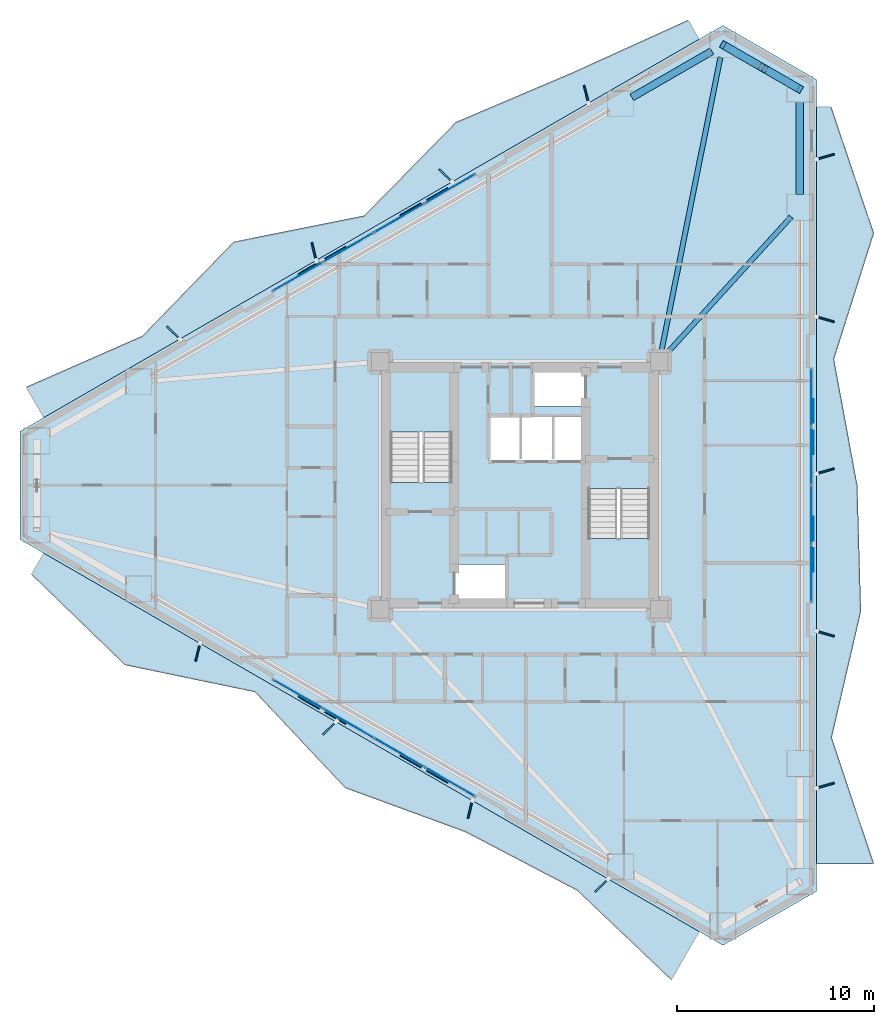
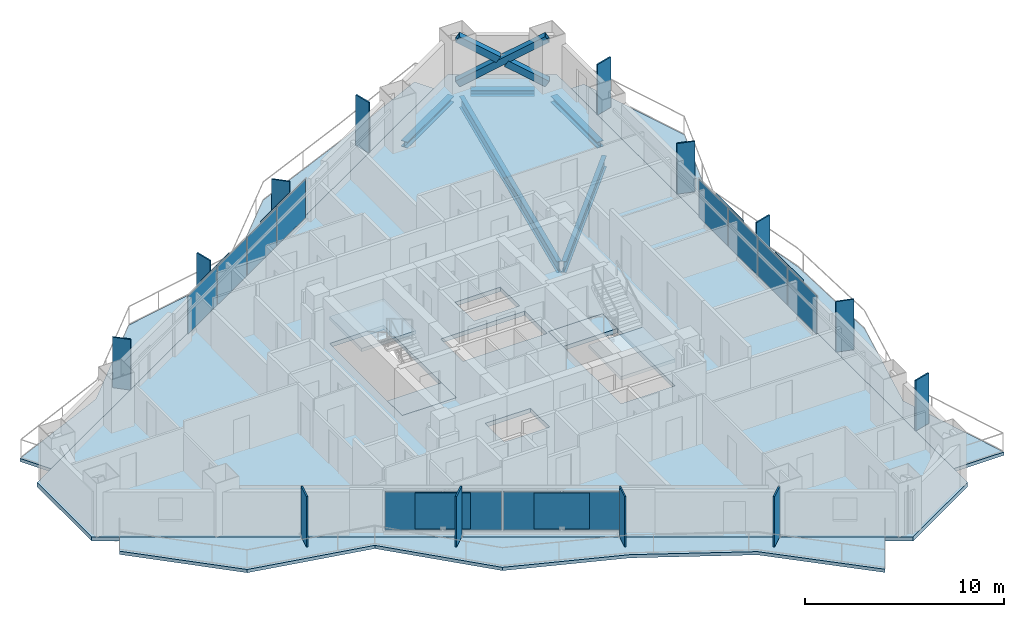
# One storey, part 10 of 19: 31 plates, 8 slabs, 5 beams, 3 members, 5 elements without a shape of their own.
"""IFC4 building model written with IfcOpenShell, lengths in metres."""

from ifc_helpers import new_model, si_unit, direction, frame, origin, origin_2d, place, context, subcontext, project, spatial, polyline, rectangle, hollow_rectangle, i_section, outline, extrude, material, layer, layer_set, material_profile, profile_set, type_object, element, aggregate, save


model = new_model("IFC4")

# Units and contexts
model_context = context("Model", 3, precision=1e-05, world=origin(), true_north=direction((0.0, 1.0)))
body_context = subcontext(model_context, "Body", "Model", "MODEL_VIEW")
ifc_project = project(units=[si_unit("LENGTHUNIT", "METRE"), si_unit("AREAUNIT", "SQUARE_METRE"), si_unit("VOLUMEUNIT", "CUBIC_METRE"), si_unit("PLANEANGLEUNIT", "RADIAN"), si_unit("MASSUNIT", "GRAM", prefix="KILO")], contexts=[model_context])

# Site, building, storey
site_placement = place(None, origin())
site = spatial("IfcSite", under=ifc_project, at=site_placement, CompositionType="ELEMENT")
building_placement = place(site_placement, origin())
building = spatial("IfcBuilding", under=site, at=building_placement, Name="Mersakhor Tower and Convention Hall", CompositionType="ELEMENT")
storey_placement = place(building_placement, frame((0.0, 0.0, 45.60009765625)))
storey = spatial("IfcBuildingStorey", under=building, at=storey_placement, Name="L12", CompositionType="ELEMENT", Elevation=45.60009765625)

# Beams
ifc_material_1 = material(Name="Steel S355", Category="steel")
ifc_material_profile_1 = material_profile(ifc_material_1, i_section(OverallWidth=0.25439453125, OverallDepth=0.6875, WebThickness=0.01318359375, FlangeThickness=0.02099609375, at=origin_2d()), Name="UB 686x254x152")
ifc_profile_set_1 = profile_set([ifc_material_profile_1], Name="Steel S355")
beam_type_1 = type_object("IfcBeamType", Name="BM-PR-686", PredefinedType="BEAM", material=ifc_profile_set_1)
beam_1_placement = place(storey_placement, frame((36.1845703125, 33.4716796875, -0.603759765625), z_axis=(0.196849718138, 0.980433673672, 0.0), x_axis=(-0.980433673672, 0.196849718138, 0.0)))
element("IfcBeam", 1, at=beam_1_placement, inside=storey, type_object=beam_type_1, Name="L12 Primary Floor Girder FG-2", PredefinedType="BEAM", context=body_context, shape_type="SweptSolid", body=[
    extrude(i_section(OverallWidth=0.25439453125, OverallDepth=0.6875, WebThickness=0.01318359375, FlangeThickness=0.02099609375, at=origin_2d()), origin(), (0.0, 0.0, 1.0), 15.359130859375),
])
beam_2_placement = place(storey_placement, frame((36.389404296875, 33.367919921875, -0.603759765625), z_axis=(0.67316322447, 0.739493930483, 0.0), x_axis=(-0.739493930483, 0.67316322447, 0.0)))
element("IfcBeam", 2, at=beam_2_placement, inside=storey, type_object=beam_type_1, Name="L12 Primary Floor Girder FG-3", PredefinedType="BEAM", context=body_context, shape_type="SweptSolid", body=[
    extrude(i_section(OverallWidth=0.25439453125, OverallDepth=0.6875, WebThickness=0.01318359375, FlangeThickness=0.02099609375, at=origin_2d()), origin(), (0.0, 0.0, 1.0), 9.53662109375),
])
ifc_material_2 = material(Name="Steel S355", Category="steel")
ifc_material_profile_2 = material_profile(ifc_material_2, i_section(OverallWidth=0.374755859375, OverallDepth=0.37451171875, WebThickness=0.0166015625, FlangeThickness=0.027099609375, at=origin_2d()), Name="UC 356x368x202")
ifc_profile_set_2 = profile_set([ifc_material_profile_2], Name="Steel S355")
beam_type_2 = type_object("IfcBeamType", Name="BM-SPD-UC356", PredefinedType="SPANDREL", material=ifc_profile_set_2)
beam_3_placement = place(storey_placement, frame((34.700439453125, 46.49560546875, -0.447509765625), z_axis=(0.866031574723, 0.499989311469, 0.0), x_axis=(-0.499989311469, 0.866031574723, 0.0)))
element("IfcBeam", 3, at=beam_3_placement, inside=storey, type_object=beam_type_2, Name="L12 Perimeter Spandrel Beam SPB-03", PredefinedType="SPANDREL", context=body_context, shape_type="SweptSolid", body=[
    extrude(i_section(OverallWidth=0.374755859375, OverallDepth=0.37451171875, WebThickness=0.0166015625, FlangeThickness=0.027099609375, at=origin_2d()), origin(), (0.0, 0.0, 1.0), 4.69873046875),
])
beam_4_placement = place(storey_placement, frame((39.904052734375, 48.844970703125, -0.447509765625), z_axis=(0.866038607556, -0.4999771297, 0.0), x_axis=(0.4999771297, 0.866038607556, 0.0)))
element("IfcBeam", 4, at=beam_4_placement, inside=storey, type_object=beam_type_2, Name="L12 Perimeter Spandrel Beam SPB-04", PredefinedType="SPANDREL", context=body_context, shape_type="SweptSolid", body=[
    extrude(i_section(OverallWidth=0.374755859375, OverallDepth=0.37451171875, WebThickness=0.0166015625, FlangeThickness=0.027099609375, at=origin_2d()), origin(), (0.0, 0.0, 1.0), 3.208740234375),
])
beam_5_placement = place(storey_placement, frame((43.25, 46.25830078125, -0.447509765625), z_axis=(0.0, -1.0, 0.0), x_axis=(1.0, 0.0, 0.0)))
element("IfcBeam", 5, at=beam_5_placement, inside=storey, type_object=beam_type_2, Name="L12 Perimeter Spandrel Beam SPB-05", PredefinedType="SPANDREL", context=body_context, shape_type="SweptSolid", body=[
    extrude(i_section(OverallWidth=0.374755859375, OverallDepth=0.37451171875, WebThickness=0.0166015625, FlangeThickness=0.027099609375, at=origin_2d()), origin(), (0.0, 0.0, 1.0), 4.69873046875),
])

# Members
ifc_material_3 = material(Name="Steel S460", Category="steel")
ifc_material_profile_3 = material_profile(ifc_material_3, hollow_rectangle(XDim=0.39990234375, YDim=0.39990234375, WallThickness=0.02490234375, at=origin_2d()), Name="SHS 400x400x25")
ifc_profile_set_3 = profile_set([ifc_material_profile_3], Name="Steel S460")
member_type = type_object("IfcMemberType", Name="MB-BRC-SHS400", PredefinedType="BRACE", material=ifc_profile_set_3)
member_placement = place(storey_placement, frame((39.3369140625, 49.172607421875, 0.14990234375), z_axis=(0.740507772322, -0.427542982597, 0.518512523632), x_axis=(0.500009315796, 0.86602002524, 0.0)))
element("IfcMember", 6, at=member_placement, inside=storey, type_object=member_type, Name="L12 Chamfer Braced Frame Diagonal CB-1A", PredefinedType="BRACE", context=body_context, shape_type="SweptSolid", body=[
    extrude(hollow_rectangle(XDim=0.39990234375, YDim=0.39990234375, WallThickness=0.02490234375, at=origin_2d()), origin(), (0.0, 0.0, 1.0), 5.284423828125),
])
for number, where, z_axis, x_axis, name in (
    (7, (43.25, 46.913330078125, 0.14990234375), (-0.740544200614, 0.427541122117, 0.51846202931), (-0.499989236795, -0.866031617834, 0.0), "L12 Chamfer Braced Frame Diagonal CB-1B Lower Half"),
    (8, (41.12060546875, 48.142578125, 1.64111328125), (-0.740512106644, 0.427623949895, 0.518439560017), (-0.500078132948, -0.865980289006, 0.0), "L12 Chamfer Braced Frame Diagonal CB-1B Upper Half"),
):
    element("IfcMember", number, at=place(storey_placement, frame(where, z_axis=z_axis, x_axis=x_axis)), inside=storey, type_object=member_type, Name=name, PredefinedType="BRACE", context=body_context, shape_type="SweptSolid", body=[
        extrude(hollow_rectangle(XDim=0.39990234375, YDim=0.39990234375, WallThickness=0.02490234375, at=origin_2d()), origin(), (0.0, 0.0, 1.0), 2.40869140625),
    ])

# Curtain wall, plates
ifc_material_4 = material(Name="Dark solar low-E aluminium curtain wall", Category="aluminium")
ifc_layer_1 = layer(ifc_material_4, 0.159912109375)
ifc_layer_set_1 = layer_set([ifc_layer_1], Name="Dark solar low-E aluminium curtain wall")
curtain_wall_type = type_object("IfcCurtainWallType", Name="CW-SYS-01", PredefinedType="USERDEFINED", material=ifc_layer_set_1)
curtain_wall_1_placement = place(storey_placement, origin())
curtain_wall_1 = element("IfcCurtainWall", 9, at=curtain_wall_1_placement, inside=storey, type_object=curtain_wall_type, Name="L12 Dark-Glass Curtain Wall F1-B2", ObjectType="CURTAIN WALL", PredefinedType="USERDEFINED")
ifc_material_5 = material(Name="Dark solar double glazing", Category="glass")
ifc_layer_2 = layer(ifc_material_5, 0.02392578125)
ifc_layer_set_2 = layer_set([ifc_layer_2], Name="Dark solar double glazing")
plate_type_1 = type_object("IfcPlateType", Name="CWP-GLZ-24", PredefinedType="CURTAIN_PANEL", material=ifc_layer_set_2)
plate_1_placement = place(storey_placement, frame((17.702880859375, 37.375, 0.259765625), z_axis=(0.0, 0.0, 1.0), x_axis=(0.866023412558, 0.50000344889, 0.0)))
plate_1 = element("IfcPlate", 10, at=plate_1_placement, type_object=plate_type_1, Name="CW-01 panel 1.1", PredefinedType="CURTAIN_PANEL", context=body_context, shape_type="SweptSolid", body=[
    extrude(rectangle(XDim=2.880859375, YDim=0.02392578125, at=origin_2d()), origin(), (0.0, 0.0, 1.0), 2.340087890625),
])
plate_2_placement = place(storey_placement, frame((20.27880859375, 38.862060546875, 0.259765625), z_axis=(0.0, 0.0, 1.0), x_axis=(0.866023412558, 0.50000344889, 0.0)))
plate_2 = element("IfcPlate", 11, at=plate_2_placement, type_object=plate_type_1, Name="CW-01 panel 2.1", PredefinedType="CURTAIN_PANEL", context=body_context, shape_type="SweptSolid", body=[
    extrude(rectangle(XDim=2.918212890625, YDim=0.02392578125, at=origin_2d()), origin(), (0.0, 0.0, 1.0), 2.340087890625),
])
plate_3_placement = place(storey_placement, frame((22.87109375, 40.35888671875, 0.259765625), z_axis=(0.0, 0.0, 1.0), x_axis=(0.866023412558, 0.50000344889, 0.0)))
plate_3 = element("IfcPlate", 12, at=plate_3_placement, type_object=plate_type_1, Name="CW-01 panel 3.1", PredefinedType="CURTAIN_PANEL", context=body_context, shape_type="SweptSolid", body=[
    extrude(rectangle(XDim=2.918212890625, YDim=0.02392578125, at=origin_2d()), origin(), (0.0, 0.0, 1.0), 2.340087890625),
])
plate_4_placement = place(storey_placement, frame((25.447021484375, 41.84619140625, 0.259765625), z_axis=(0.0, 0.0, 1.0), x_axis=(0.866023412558, 0.50000344889, 0.0)))
plate_4 = element("IfcPlate", 13, at=plate_4_placement, type_object=plate_type_1, Name="CW-01 panel 4.1", PredefinedType="CURTAIN_PANEL", context=body_context, shape_type="SweptSolid", body=[
    extrude(rectangle(XDim=2.880859375, YDim=0.02392578125, at=origin_2d()), origin(), (0.0, 0.0, 1.0), 2.340087890625),
])
aggregate(curtain_wall_1, [plate_1, plate_2, plate_3, plate_4])

curtain_wall_2_placement = place(storey_placement, origin())
curtain_wall_2 = element("IfcCurtainWall", 14, at=curtain_wall_2_placement, inside=storey, type_object=curtain_wall_type, Name="L12 Dark-Glass Curtain Wall F2-B2", ObjectType="CURTAIN WALL", PredefinedType="USERDEFINED")
plate_5_placement = place(storey_placement, frame((43.85009765625, 31.22119140625, 0.259765625), z_axis=(0.0, 0.0, 1.0), x_axis=(0.0, -1.0, 0.0)))
plate_5 = element("IfcPlate", 15, at=plate_5_placement, type_object=plate_type_1, Name="CW-01 panel 1.1", PredefinedType="CURTAIN_PANEL", context=body_context, shape_type="SweptSolid", body=[
    extrude(rectangle(XDim=2.880859375, YDim=0.02392578125, at=origin_2d()), origin(), (0.0, 0.0, 1.0), 2.340087890625),
])
plate_6_placement = place(storey_placement, frame((43.85009765625, 28.24658203125, 0.259765625), z_axis=(0.0, 0.0, 1.0), x_axis=(0.0, -1.0, 0.0)))
plate_6 = element("IfcPlate", 16, at=plate_6_placement, type_object=plate_type_1, Name="CW-01 panel 2.1", PredefinedType="CURTAIN_PANEL", context=body_context, shape_type="SweptSolid", body=[
    extrude(rectangle(XDim=2.918212890625, YDim=0.02392578125, at=origin_2d()), origin(), (0.0, 0.0, 1.0), 2.340087890625),
])
plate_7_placement = place(storey_placement, frame((43.85009765625, 25.25341796875, 0.259765625), z_axis=(0.0, 0.0, 1.0), x_axis=(0.0, -1.0, 0.0)))
plate_7 = element("IfcPlate", 17, at=plate_7_placement, type_object=plate_type_1, Name="CW-01 panel 3.1", PredefinedType="CURTAIN_PANEL", context=body_context, shape_type="SweptSolid", body=[
    extrude(rectangle(XDim=2.918212890625, YDim=0.02392578125, at=origin_2d()), origin(), (0.0, 0.0, 1.0), 2.340087890625),
])
plate_8_placement = place(storey_placement, frame((43.85009765625, 22.27880859375, 0.259765625), z_axis=(0.0, 0.0, 1.0), x_axis=(0.0, -1.0, 0.0)))
plate_8 = element("IfcPlate", 18, at=plate_8_placement, type_object=plate_type_1, Name="CW-01 panel 4.1", PredefinedType="CURTAIN_PANEL", context=body_context, shape_type="SweptSolid", body=[
    extrude(rectangle(XDim=2.880859375, YDim=0.02392578125, at=origin_2d()), origin(), (0.0, 0.0, 1.0), 2.340087890625),
])
aggregate(curtain_wall_2, [plate_5, plate_6, plate_7, plate_8])

curtain_wall_3_placement = place(storey_placement, origin())
curtain_wall_3 = element("IfcCurtainWall", 19, at=curtain_wall_3_placement, inside=storey, type_object=curtain_wall_type, Name="L12 Dark-Glass Curtain Wall F3-B2", ObjectType="CURTAIN WALL", PredefinedType="USERDEFINED")
plate_9_placement = place(storey_placement, frame((25.447021484375, 11.65380859375, 0.259765625), z_axis=(0.0, 0.0, 1.0), x_axis=(-0.866023412558, 0.50000344889, 0.0)))
plate_9 = element("IfcPlate", 20, at=plate_9_placement, type_object=plate_type_1, Name="CW-01 panel 1.1", PredefinedType="CURTAIN_PANEL", context=body_context, shape_type="SweptSolid", body=[
    extrude(rectangle(XDim=2.880859375, YDim=0.02392578125, at=origin_2d()), origin(), (0.0, 0.0, 1.0), 2.340087890625),
])
plate_10_placement = place(storey_placement, frame((22.87109375, 13.14111328125, 0.259765625), z_axis=(0.0, 0.0, 1.0), x_axis=(-0.866023412558, 0.50000344889, 0.0)))
plate_10 = element("IfcPlate", 21, at=plate_10_placement, type_object=plate_type_1, Name="CW-01 panel 2.1", PredefinedType="CURTAIN_PANEL", context=body_context, shape_type="SweptSolid", body=[
    extrude(rectangle(XDim=2.918212890625, YDim=0.02392578125, at=origin_2d()), origin(), (0.0, 0.0, 1.0), 2.340087890625),
])
plate_11_placement = place(storey_placement, frame((20.27880859375, 14.637939453125, 0.259765625), z_axis=(0.0, 0.0, 1.0), x_axis=(-0.866023412558, 0.50000344889, 0.0)))
plate_11 = element("IfcPlate", 22, at=plate_11_placement, type_object=plate_type_1, Name="CW-01 panel 3.1", PredefinedType="CURTAIN_PANEL", context=body_context, shape_type="SweptSolid", body=[
    extrude(rectangle(XDim=2.918212890625, YDim=0.02392578125, at=origin_2d()), origin(), (0.0, 0.0, 1.0), 2.340087890625),
])
plate_12_placement = place(storey_placement, frame((17.702880859375, 16.125, 0.259765625), z_axis=(0.0, 0.0, 1.0), x_axis=(-0.866023412558, 0.50000344889, 0.0)))
plate_12 = element("IfcPlate", 23, at=plate_12_placement, type_object=plate_type_1, Name="CW-01 panel 4.1", PredefinedType="CURTAIN_PANEL", context=body_context, shape_type="SweptSolid", body=[
    extrude(rectangle(XDim=2.880859375, YDim=0.02392578125, at=origin_2d()), origin(), (0.0, 0.0, 1.0), 2.340087890625),
])
aggregate(curtain_wall_3, [plate_9, plate_10, plate_11, plate_12])

# Plates
ifc_material_6 = material(Name="Ceramic-clad aluminium Zone 1 cobalt-slate", Category="masonry")
ifc_material_7 = material(Name="Ceramic-clad aluminium Zone 1 cobalt-slate", Category="masonry")
ifc_layer_3 = layer(ifc_material_7, 0.080078125)
ifc_layer_set_3 = layer_set([ifc_layer_3], Name="Ceramic-clad aluminium Zone 1 cobalt-slate")
plate_type_2 = type_object("IfcPlateType", Name="PL-FIN-80", PredefinedType="USERDEFINED", material=ifc_layer_set_3)
for number, where, z_axis, x_axis, name in (
    (24, (11.3720703125, 34.5126953125, -0.000244140625), (0.0, 0.0, 1.0), (-0.719339800339, 0.694658370459, 0.0), "L12 Zone 1 Coloured Brise-Soleil Fin F1-1"),
    (25, (18.527099609375, 38.6435546875, -0.000244140625), (0.0, 0.0, 1.0), (-0.2419218956, 0.970295726276, 0.0), "L12 Zone 1 Coloured Brise-Soleil Fin F1-2"),
    (26, (25.228515625, 42.5126953125, -0.000244140625), (0.0, 0.0, 1.0), (-0.719339800339, 0.694658370459, 0.0), "L12 Zone 1 Coloured Brise-Soleil Fin F1-3"),
    (27, (32.38330078125, 46.6435546875, -0.000244140625), (0.0, 0.0, 1.0), (-0.2419218956, 0.970295726276, 0.0), "L12 Zone 1 Coloured Brise-Soleil Fin F1-4"),
    (28, (44.53662109375, 43.46826171875, -0.000244140625), (0.0, 0.0, 1.0), (0.961261695938, 0.275637355817, 0.0), "L12 Zone 1 Coloured Brise-Soleil Fin F2-1"),
    (29, (44.53662109375, 35.206298828125, -0.000244140625), (0.0, 0.0, 1.0), (0.961261695938, -0.275637355817, 0.0), "L12 Zone 1 Coloured Brise-Soleil Fin F2-2"),
    (30, (44.53662109375, 27.46826171875, -0.000244140625), (0.0, 0.0, 1.0), (0.961261695938, 0.275637355817, 0.0), "L12 Zone 1 Coloured Brise-Soleil Fin F2-3"),
    (31, (44.53662109375, 19.206298828125, -0.000244140625), (0.0, 0.0, 1.0), (0.961261695938, -0.275637355817, 0.0), "L12 Zone 1 Coloured Brise-Soleil Fin F2-4"),
    (32, (44.53662109375, 11.46826171875, -0.000244140625), (0.0, 0.0, 1.0), (0.961261695938, 0.275637355817, 0.0), "L12 Zone 1 Coloured Brise-Soleil Fin F2-5"),
    (33, (33.174072265625, 6.39990234375, -0.000244140625), (0.0, 0.0, 1.0), (-0.719339800339, -0.694658370459, 0.0), "L12 Zone 1 Coloured Brise-Soleil Fin F3-1"),
    (34, (26.472412109375, 10.26904296875, -0.000244140625), (0.0, 0.0, 1.0), (-0.2419218956, -0.970295726276, 0.0), "L12 Zone 1 Coloured Brise-Soleil Fin F3-2"),
    (35, (19.317626953125, 14.39990234375, -0.000244140625), (0.0, 0.0, 1.0), (-0.719339800339, -0.694658370459, 0.0), "L12 Zone 1 Coloured Brise-Soleil Fin F3-3"),
    (36, (12.6162109375, 18.26904296875, -0.000244140625), (0.0, 0.0, 1.0), (-0.2419218956, -0.970295726276, 0.0), "L12 Zone 1 Coloured Brise-Soleil Fin F3-4"),
):
    element("IfcPlate", number, at=place(storey_placement, frame(where, z_axis=z_axis, x_axis=x_axis)), inside=storey, type_object=plate_type_2, material=ifc_material_6, Name=name, ObjectType="FIN", PredefinedType="USERDEFINED", context=body_context, shape_type="SweptSolid", body=[
        extrude(rectangle(XDim=0.949951171875, YDim=0.080078125, at=origin_2d()), origin(), (0.0, 0.0, 1.0), 3.10009765625),
    ])
ifc_material_8 = material(Name="Perforated ceramic cobogo solar screen", Category="aluminium")
ifc_layer_4 = layer(ifc_material_8, 0.048095703125)
ifc_layer_set_4 = layer_set([ifc_layer_4], Name="Perforated ceramic cobogo solar screen")
plate_type_3 = type_object("IfcPlateType", Name="PL-SCR-48", PredefinedType="USERDEFINED", material=ifc_layer_set_4)
for number, where, z_axis, x_axis, name in (
    (37, (18.935791015625, 38.1953125, 0.39990234375), (0.0, 0.0, 1.0), (0.866025403784, 0.5, 0.0), "L12 Perforated Ceramic Solar Screen F1-1"),
    (38, (24.120361328125, 41.1884765625, 0.39990234375), (0.0, 0.0, 1.0), (0.866025403784, 0.5, 0.0), "L12 Perforated Ceramic Solar Screen F1-2"),
    (39, (43.944091796875, 29.743408203125, 0.39990234375), (0.0, 0.0, 1.0), (0.0, -1.0, 0.0), "L12 Perforated Ceramic Solar Screen F2-1"),
    (40, (43.944091796875, 23.756591796875, 0.39990234375), (0.0, 0.0, 1.0), (0.0, -1.0, 0.0), "L12 Perforated Ceramic Solar Screen F2-2"),
    (41, (24.1201171875, 12.311279296875, 0.39990234375), (0.0, 0.0, 1.0), (-0.866025403784, 0.5, 0.0), "L12 Perforated Ceramic Solar Screen F3-1"),
    (42, (18.935791015625, 15.3046875, 0.39990234375), (0.0, 0.0, 1.0), (-0.866025403784, 0.5, 0.0), "L12 Perforated Ceramic Solar Screen F3-2"),
):
    element("IfcPlate", number, at=place(storey_placement, frame(where, z_axis=z_axis, x_axis=x_axis)), inside=storey, type_object=plate_type_3, Name=name, ObjectType="SCREEN", PredefinedType="USERDEFINED", context=body_context, shape_type="SweptSolid", body=[
        extrude(rectangle(XDim=2.800048828125, YDim=0.048095703125, at=origin_2d()), origin(), (0.0, 0.0, 1.0), 2.2099609375),
    ])

# Slabs
ifc_material_9 = material(Name="Concrete C45/55", Category="concrete")
ifc_layer_5 = layer(ifc_material_9, 0.199951171875)
ifc_layer_set_5 = layer_set([ifc_layer_5], Name="Concrete C45/55")
slab_type_1 = type_object("IfcSlabType", Name="SL-BAL-200", PredefinedType="FLOOR", material=ifc_layer_set_5)
slab_1_placement = place(storey_placement, frame((0.0, 0.0, -0.2001953125)))
element("IfcSlab", 43, at=slab_1_placement, inside=storey, type_object=slab_type_1, Name="L12 Sinusoidal Balcony Slab Face 1", PredefinedType="FLOOR", context=body_context, shape_type="SweptSolid", body=[
    extrude(outline(polyline([(4.775390625, 30.199951171875), (38.12451171875, 49.4541015625), (37.55908203125, 50.433349609375), (31.687744140625, 47.766845703125), (25.739013671875, 45.234619140625), (21.074951171875, 40.4765625), (14.431884765625, 39.146728515625), (9.785888671875, 34.35791015625), (3.87548828125, 31.7587890625), (4.775390625, 30.199951171875)])), origin(), (0.0, 0.0, 1.0), 0.2001953125),
])
slab_2_placement = place(storey_placement, frame((0.0, 0.0, -0.2001953125)))
element("IfcSlab", 44, at=slab_2_placement, inside=storey, type_object=slab_type_1, Name="L12 Sinusoidal Balcony Slab Face 2", PredefinedType="FLOOR", context=body_context, shape_type="SweptSolid", body=[
    extrude(outline(polyline([(44.10009765625, 46.00390625), (44.10009765625, 7.49609375), (47.02001953125, 7.49609375), (44.8740234375, 13.9140625), (46.360595703125, 20.33203125), (46.176513671875, 26.75), (44.989501953125, 33.16796875), (47.02001953125, 39.5859375), (44.85205078125, 46.00390625), (44.10009765625, 46.00390625)])), origin(), (0.0, 0.0, 1.0), 0.2001953125),
])
slab_3_placement = place(storey_placement, frame((0.0, 0.0, -0.2001953125)))
element("IfcSlab", 45, at=slab_3_placement, inside=storey, type_object=slab_type_1, Name="L12 Sinusoidal Balcony Slab Face 3", PredefinedType="FLOOR", context=body_context, shape_type="SweptSolid", body=[
    extrude(outline(polyline([(38.12451171875, 4.0458984375), (4.775390625, 23.300048828125), (4.144775390625, 22.20751953125), (8.8994140625, 17.606689453125), (15.516845703125, 16.232421875), (20.109130859375, 11.3505859375), (26.2255859375, 9.1083984375), (31.916259765625, 6.129150390625), (36.700439453125, 1.57958984375), (38.12451171875, 4.0458984375)])), origin(), (0.0, 0.0, 1.0), 0.2001953125),
])
ifc_material_10 = material(Name="Concrete C45/55", Category="concrete")
ifc_layer_6 = layer(ifc_material_10, 0.260009765625)
ifc_layer_set_6 = layer_set([ifc_layer_6], Name="Concrete C45/55")
slab_type_2 = type_object("IfcSlabType", Name="SL-FLR-260", PredefinedType="FLOOR", material=ifc_layer_set_6)
slab_4_placement = place(storey_placement, frame((0.0, 0.0, -0.260009765625)))
element("IfcSlab", 46, at=slab_4_placement, inside=storey, type_object=slab_type_2, Name="L12 ST-1 Structural Stair Floor Landing", PredefinedType="LANDING", context=body_context, shape_type="SweptSolid", body=[
    extrude(outline(polyline([(25.550048828125, 25.39990234375), (25.550048828125, 26.89990234375), (22.39990234375, 26.89990234375), (22.39990234375, 25.39990234375), (25.550048828125, 25.39990234375)])), origin(), (0.0, 0.0, 1.0), 0.260009765625),
])
slab_5_placement = place(storey_placement, frame((0.0, 0.0, -0.260009765625)))
element("IfcSlab", 47, at=slab_5_placement, inside=storey, type_object=slab_type_2, Name="L12 ST-2 Structural Stair Floor Landing", PredefinedType="LANDING", context=body_context, shape_type="SweptSolid", body=[
    extrude(outline(polyline([(32.449951171875, 28.10009765625), (32.449951171875, 26.60009765625), (35.60009765625, 26.60009765625), (35.60009765625, 28.10009765625), (32.449951171875, 28.10009765625)])), origin(), (0.0, 0.0, 1.0), 0.260009765625),
])
slab_6_placement = place(storey_placement, frame((0.0, 0.0, -0.260009765625)))
element("IfcSlab", 48, at=slab_6_placement, inside=storey, type_object=slab_type_2, Name="Tower L12 Structural Floor Slab", PredefinedType="FLOOR", context=body_context, shape_type="SweptSolid", body=[
    extrude(outline(polyline([(3.56298828125, 29.5), (39.3369140625, 50.154052734375), (44.10009765625, 47.404052734375), (44.10009765625, 6.095947265625), (39.3369140625, 3.345947265625), (3.56298828125, 24.0), (3.56298828125, 29.5)]), holes=[polyline([(25.550048828125, 25.39990234375), (25.550048828125, 32.699951171875), (22.39990234375, 32.699951171875), (22.39990234375, 25.39990234375), (25.550048828125, 25.39990234375)]), polyline([(32.449951171875, 28.10009765625), (32.449951171875, 20.800048828125), (35.60009765625, 20.800048828125), (35.60009765625, 28.10009765625), (32.449951171875, 28.10009765625)]), polyline([(25.679931640625, 20.820068359375), (25.679931640625, 22.719970703125), (28.320068359375, 22.719970703125), (28.320068359375, 20.820068359375), (25.679931640625, 20.820068359375)]), polyline([(29.679931640625, 30.780029296875), (29.679931640625, 32.679931640625), (32.320068359375, 32.679931640625), (32.320068359375, 30.780029296875), (29.679931640625, 30.780029296875)]), polyline([(27.429931640625, 28.0), (27.429931640625, 30.25), (32.320068359375, 30.25), (32.320068359375, 28.0), (27.429931640625, 28.0)])]), origin(), (0.0, 0.0, 1.0), 0.260009765625),
])

# Stair, slab
ifc_material_11 = material(Name="Concrete C45/55", Category="concrete")
stair_type = type_object("IfcStairType", Name="ST-TWR-20R", PredefinedType="HALF_TURN_STAIR", material=ifc_material_11)
stair_1_placement = place(storey_placement, origin())
stair_1 = element("IfcStair", 49, at=stair_1_placement, inside=storey, type_object=stair_type, Name="L12 Tower Protected Exit Stair ST-1", PredefinedType="HALF_TURN_STAIR")
ifc_material_12 = material(Name="Concrete C45/55", Category="concrete")
ifc_layer_7 = layer(ifc_material_12, 0.199951171875)
ifc_layer_set_7 = layer_set([ifc_layer_7], Name="Concrete C45/55")
slab_type_3 = type_object("IfcSlabType", Name="SL-LAND-200", PredefinedType="LANDING", material=ifc_layer_set_7)
slab_7_placement = place(storey_placement, frame((0.0, 0.0, 1.449951171875)))
slab_7 = element("IfcSlab", 50, at=slab_7_placement, type_object=slab_type_3, Name="ST-1 landing 1", PredefinedType="LANDING", context=body_context, shape_type="SweptSolid", body=[
    extrude(outline(polyline([(25.550048828125, 29.465087890625), (25.550048828125, 32.699951171875), (22.39990234375, 32.699951171875), (22.39990234375, 29.465087890625), (25.550048828125, 29.465087890625)])), origin(), (0.0, 0.0, 1.0), 0.199951171875),
])
aggregate(stair_1, [slab_7])

stair_2_placement = place(storey_placement, origin())
stair_2 = element("IfcStair", 51, at=stair_2_placement, inside=storey, type_object=stair_type, Name="L12 Tower Protected Exit Stair ST-2", PredefinedType="HALF_TURN_STAIR")
slab_8_placement = place(storey_placement, frame((0.0, 0.0, 1.449951171875)))
slab_8 = element("IfcSlab", 52, at=slab_8_placement, type_object=slab_type_3, Name="ST-2 landing 1", PredefinedType="LANDING", context=body_context, shape_type="SweptSolid", body=[
    extrude(outline(polyline([(32.449951171875, 24.034912109375), (32.449951171875, 20.800048828125), (35.60009765625, 20.800048828125), (35.60009765625, 24.034912109375), (32.449951171875, 24.034912109375)])), origin(), (0.0, 0.0, 1.0), 0.199951171875),
])
aggregate(stair_2, [slab_8])

save(model, "model.ifc")
